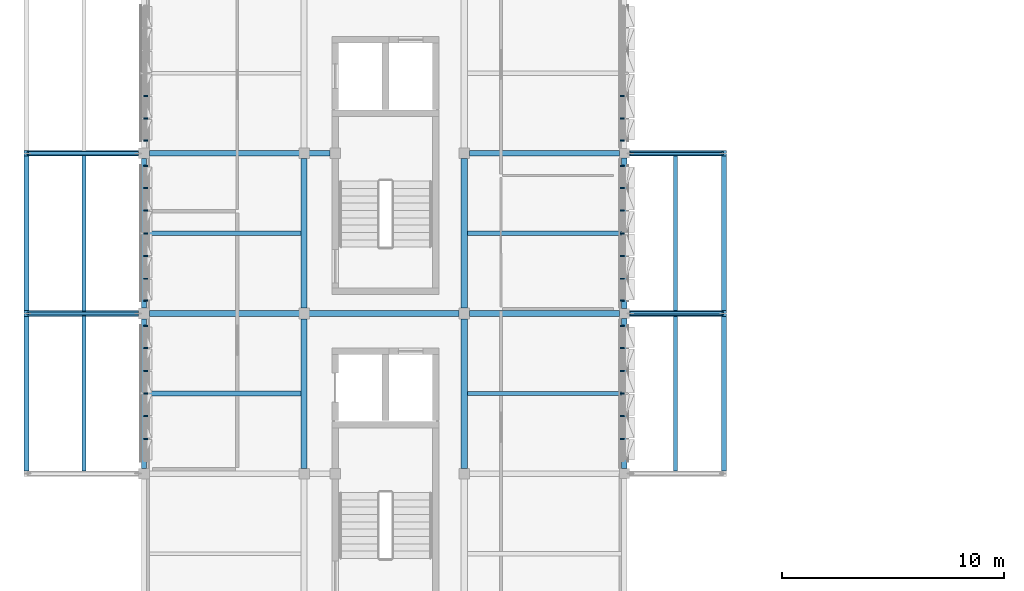
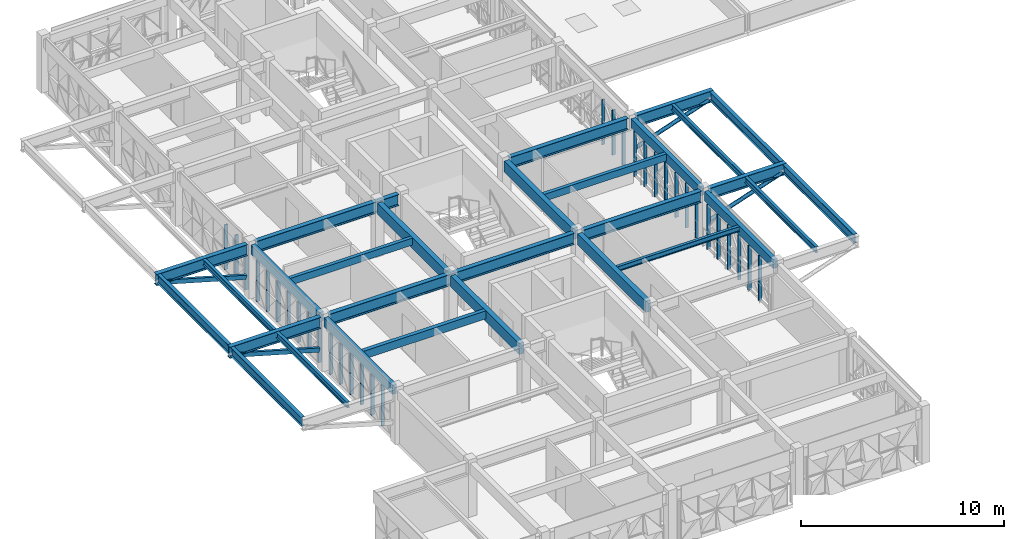
# One storey, part 4 of 30: 36 members, 28 beams, 6 elements without a shape of their own.
"""IFC4 building model written with IfcOpenShell, lengths in metres."""

from ifc_helpers import new_model, si_unit, direction, frame, origin, origin_2d, place, context, subcontext, project, spatial, rectangle, hollow_rectangle, hollow_circle, i_section, extrude, material, material_profile, profile_set, type_object, element, aggregate, save


model = new_model("IFC4")

# Units and contexts
model_context = context("Model", 3, precision=1e-05, world=origin(), true_north=direction((0.0, 1.0)))
body_context = subcontext(model_context, "Body", "Model", "MODEL_VIEW")
ifc_project = project(units=[si_unit("LENGTHUNIT", "METRE"), si_unit("AREAUNIT", "SQUARE_METRE"), si_unit("VOLUMEUNIT", "CUBIC_METRE"), si_unit("PLANEANGLEUNIT", "RADIAN"), si_unit("MASSUNIT", "GRAM", prefix="KILO")], contexts=[model_context])

# Site, building, storey
site_placement = place(None, origin())
site = spatial("IfcSite", under=ifc_project, at=site_placement, CompositionType="ELEMENT")
building_placement = place(site_placement, origin())
building = spatial("IfcBuilding", under=site, at=building_placement, Name="Alvorim Cloister Faculty of Sciences", CompositionType="ELEMENT")
storey_placement = place(building_placement, frame((0.0, 0.0, 26.25)))
storey = spatial("IfcBuildingStorey", under=building, at=storey_placement, Name="L07", CompositionType="ELEMENT", Elevation=26.25)

# Beams
ifc_material_1 = material(Name="Glulam GL28h", Category="wood")
ifc_material_profile_1 = material_profile(ifc_material_1, rectangle(XDim=0.280029296875, YDim=0.659912109375, at=origin_2d()), Name="GL28-BM-280x660")
ifc_profile_set_1 = profile_set([ifc_material_profile_1], Name="Glulam GL28h")
beam_type_1 = type_object("IfcBeamType", Name="BM-GL-280x660", PredefinedType="BEAM", material=ifc_profile_set_1)
for number, where, z_axis, x_axis, name in (
    (1, (14.39990234375, 21.840087890625, 2.909912109375), (0.0, 1.0, 0.0), (-1.0, 0.0, 0.0), "L07 Primary Girder BM-2135"),
    (2, (14.39990234375, 29.0400390625, 2.909912109375), (0.0, 1.0, 0.0), (-1.0, 0.0, 0.0), "L07 Primary Girder BM-2136"),
    (3, (21.60009765625, 21.840087890625, 2.909912109375), (0.0, 1.0, 0.0), (-1.0, 0.0, 0.0), "L07 Primary Girder BM-2142"),
    (4, (21.60009765625, 29.0400390625, 2.909912109375), (0.0, 1.0, 0.0), (-1.0, 0.0, 0.0), "L07 Primary Girder BM-2143"),
):
    element("IfcBeam", number, at=place(storey_placement, frame(where, z_axis=z_axis, x_axis=x_axis)), inside=storey, type_object=beam_type_1, Name=name, PredefinedType="BEAM", context=body_context, shape_type="SweptSolid", body=[
        extrude(rectangle(XDim=0.280029296875, YDim=0.659912109375, at=origin_2d()), origin(), (0.0, 0.0, 1.0), 6.719970703125),
    ])
ifc_material_profile_2 = material_profile(ifc_material_1, rectangle(XDim=0.199951171875, YDim=0.419921875, at=origin_2d()), Name="GL28-JST-200x420")
ifc_profile_set_2 = profile_set([ifc_material_profile_2], Name="Glulam GL28h")
beam_type_2 = type_object("IfcBeamType", Name="BM-JST-GL-200x420", PredefinedType="JOIST", material=ifc_profile_set_2)
for number, where, z_axis, x_axis, name in (
    (5, (7.320068359375, 32.39990234375, 3.030029296875), (1.0, 0.0, 0.0), (0.0, 1.0, 0.0), "L07 Secondary Floor Joist BM-2157"),
    (6, (21.739990234375, 32.39990234375, 3.030029296875), (1.0, 0.0, 0.0), (0.0, 1.0, 0.0), "L07 Secondary Floor Joist BM-2165"),
):
    element("IfcBeam", number, at=place(storey_placement, frame(where, z_axis=z_axis, x_axis=x_axis)), inside=storey, type_object=beam_type_2, Name=name, PredefinedType="JOIST", context=body_context, shape_type="SweptSolid", body=[
        extrude(rectangle(XDim=0.199951171875, YDim=0.419921875, at=origin_2d()), origin(), (0.0, 0.0, 1.0), 6.93994140625),
    ])
ifc_material_profile_3 = material_profile(ifc_material_1, rectangle(XDim=0.219970703125, YDim=0.47998046875, at=origin_2d()), Name="GL28-JST-220x480")
ifc_profile_set_3 = profile_set([ifc_material_profile_3], Name="Glulam GL28h")
beam_type_3 = type_object("IfcBeamType", Name="BM-JST-GL-220x480", PredefinedType="JOIST", material=ifc_profile_set_3)
beam_1_placement = place(storey_placement, frame((7.320068359375, 25.199951171875, 3.0), z_axis=(1.0, 0.0, 0.0), x_axis=(0.0, 1.0, 0.0)))
element("IfcBeam", 7, at=beam_1_placement, inside=storey, type_object=beam_type_3, Name="L07 Secondary Floor Joist BM-2156", PredefinedType="JOIST", context=body_context, shape_type="SweptSolid", body=[
    extrude(rectangle(XDim=0.219970703125, YDim=0.47998046875, at=origin_2d()), origin(), (0.0, 0.0, 1.0), 6.93994140625),
])
ifc_material_profile_4 = material_profile(ifc_material_1, rectangle(XDim=0.239990234375, YDim=0.5400390625, at=origin_2d()), Name="GL28-SPD-240x540")
ifc_profile_set_4 = profile_set([ifc_material_profile_4], Name="Glulam GL28h")
beam_type_4 = type_object("IfcBeamType", Name="BM-SPD-GL-240x540", PredefinedType="SPANDREL", material=ifc_profile_set_4)
for number, where, z_axis, x_axis, name in (
    (8, (7.199951171875, 21.840087890625, 2.969970703125), (0.0, 1.0, 0.0), (-1.0, 0.0, 0.0), "L07 Primary Girder BM-2128"),
    (9, (7.199951171875, 29.0400390625, 2.969970703125), (0.0, 1.0, 0.0), (-1.0, 0.0, 0.0), "L07 Primary Girder BM-2129"),
):
    element("IfcBeam", number, at=place(storey_placement, frame(where, z_axis=z_axis, x_axis=x_axis)), inside=storey, type_object=beam_type_4, Name=name, PredefinedType="SPANDREL", context=body_context, shape_type="SweptSolid", body=[
        extrude(rectangle(XDim=0.239990234375, YDim=0.5400390625, at=origin_2d()), origin(), (0.0, 0.0, 1.0), 6.719970703125),
    ])
for number, where, z_axis, x_axis, name in (
    (10, (28.800048828125, 21.820068359375, 2.969970703125), (0.0, 1.0, 0.0), (-1.0, 0.0, 0.0), "L07 Primary Girder BM-2149"),
    (11, (28.800048828125, 29.02001953125, 2.969970703125), (0.0, 1.0, 0.0), (-1.0, 0.0, 0.0), "L07 Primary Girder BM-2150"),
):
    element("IfcBeam", number, at=place(storey_placement, frame(where, z_axis=z_axis, x_axis=x_axis)), inside=storey, type_object=beam_type_4, Name=name, PredefinedType="SPANDREL", context=body_context, shape_type="SweptSolid", body=[
        extrude(rectangle(XDim=0.239990234375, YDim=0.5400390625, at=origin_2d()), origin(), (0.0, 0.0, 1.0), 6.760009765625),
    ])
ifc_material_2 = material(Name="Steel ASTM A572 Grade 50", Category="steel")
ifc_material_profile_5 = material_profile(ifc_material_2, i_section(OverallWidth=0.1650390625, OverallDepth=0.31005859375, WebThickness=0.005859375, FlangeThickness=0.009765625, FilletRadius=0.010986328125, at=origin_2d()), Name="W310x38.7")
ifc_profile_set_5 = profile_set([ifc_material_profile_5], Name="Steel ASTM A572 Grade 50")
beam_type_5 = type_object("IfcBeamType", Name="BM-STL-W310", PredefinedType="JOIST", material=ifc_profile_set_5)
beam_2_placement = place(storey_placement, frame((21.739990234375, 25.199951171875, 3.0849609375), z_axis=(1.0, 0.0, 0.0), x_axis=(0.0, 1.0, 0.0)))
element("IfcBeam", 12, at=beam_2_placement, inside=storey, type_object=beam_type_5, Name="L07 Secondary Floor Joist BM-2164", PredefinedType="JOIST", context=body_context, shape_type="SweptSolid", body=[
    extrude(i_section(OverallWidth=0.1650390625, OverallDepth=0.31005859375, WebThickness=0.005859375, FlangeThickness=0.009765625, FilletRadius=0.010986328125, at=origin_2d()), origin(), (0.0, 0.0, 1.0), 6.93994140625),
])
ifc_material_profile_6 = material_profile(ifc_material_2, i_section(OverallWidth=0.1708984375, OverallDepth=0.35498046875, WebThickness=0.007080078125, FlangeThickness=0.01171875, FilletRadius=0.012939453125, at=origin_2d()), Name="W360x51.0")
ifc_profile_set_6 = profile_set([ifc_material_profile_6], Name="Steel ASTM A572 Grade 50")
beam_type_6 = type_object("IfcBeamType", Name="BM-STL-W360", PredefinedType="JOIST", material=ifc_profile_set_6)
for number, where, z_axis, x_axis, name in (
    (13, (4.5, 21.7099609375, 3.0625), (0.0, 1.0, 0.0), (-1.0, 0.0, 0.0), "L07 Cantilever Deck Joist BM-0180"),
    (14, (4.5, 28.909912109375, 3.0625), (0.0, 1.0, 0.0), (-1.0, 0.0, 0.0), "L07 Cantilever Deck Joist BM-0182"),
    (15, (31.10009765625, 21.7099609375, 3.0625), (0.0, 1.0, 0.0), (-1.0, 0.0, 0.0), "L07 Cantilever Deck Joist BM-0212"),
    (16, (31.10009765625, 28.909912109375, 3.0625), (0.0, 1.0, 0.0), (-1.0, 0.0, 0.0), "L07 Cantilever Deck Joist BM-0214"),
):
    element("IfcBeam", number, at=place(storey_placement, frame(where, z_axis=z_axis, x_axis=x_axis)), inside=storey, type_object=beam_type_6, Name=name, PredefinedType="JOIST", context=body_context, shape_type="SweptSolid", body=[
        extrude(i_section(OverallWidth=0.1708984375, OverallDepth=0.35498046875, WebThickness=0.007080078125, FlangeThickness=0.01171875, FilletRadius=0.012939453125, at=origin_2d()), origin(), (0.0, 0.0, 1.0), 6.97998046875),
    ])
ifc_material_profile_7 = material_profile(ifc_material_2, i_section(OverallWidth=0.208984375, OverallDepth=0.532958984375, WebThickness=0.01025390625, FlangeThickness=0.015625, FilletRadius=0.01611328125, at=origin_2d()), Name="W530x92.0")
ifc_profile_set_7 = profile_set([ifc_material_profile_7], Name="Steel ASTM A572 Grade 50")
beam_type_7 = type_object("IfcBeamType", Name="BM-STL-W530", PredefinedType="BEAM", material=ifc_profile_set_7)
for number, where, z_axis, x_axis, name in (
    (17, (1.919921875, 21.7099609375, 2.973388671875), (0.0, 1.0, 0.0), (-1.0, 0.0, 0.0), "L07 Cantilever Tip Header Girder BM-0179"),
    (18, (1.919921875, 28.909912109375, 2.973388671875), (0.0, 1.0, 0.0), (-1.0, 0.0, 0.0), "L07 Cantilever Tip Header Girder BM-0181"),
    (19, (33.280029296875, 21.7099609375, 2.973388671875), (0.0, 1.0, 0.0), (-1.0, 0.0, 0.0), "L07 Cantilever Tip Header Girder BM-0211"),
    (20, (33.280029296875, 28.909912109375, 2.973388671875), (0.0, 1.0, 0.0), (-1.0, 0.0, 0.0), "L07 Cantilever Tip Header Girder BM-0213"),
):
    element("IfcBeam", number, at=place(storey_placement, frame(where, z_axis=z_axis, x_axis=x_axis)), inside=storey, type_object=beam_type_7, Name=name, PredefinedType="BEAM", context=body_context, shape_type="SweptSolid", body=[
        extrude(i_section(OverallWidth=0.208984375, OverallDepth=0.532958984375, WebThickness=0.01025390625, FlangeThickness=0.015625, FilletRadius=0.01611328125, at=origin_2d()), origin(), (0.0, 0.0, 1.0), 6.97998046875),
    ])
ifc_material_profile_8 = material_profile(ifc_material_2, i_section(OverallWidth=0.25390625, OverallDepth=0.68408203125, WebThickness=0.012451171875, FlangeThickness=0.01904296875, FilletRadius=0.01904296875, at=origin_2d()), Name="W690x140.0")
ifc_profile_set_8 = profile_set([ifc_material_profile_8], Name="Steel ASTM A572 Grade 50")
beam_type_8 = type_object("IfcBeamType", Name="BM-STL-W690", PredefinedType="BEAM", material=ifc_profile_set_8)
beam_3_placement = place(storey_placement, frame((7.43994140625, 28.800048828125, 2.89794921875), z_axis=(1.0, 0.0, 0.0), x_axis=(0.0, 1.0, 0.0)))
element("IfcBeam", 21, at=beam_3_placement, inside=storey, type_object=beam_type_8, Name="L07 Cantilever Backspan Girder BM-0171", PredefinedType="BEAM", context=body_context, shape_type="SweptSolid", body=[
    extrude(i_section(OverallWidth=0.25390625, OverallDepth=0.68408203125, WebThickness=0.012451171875, FlangeThickness=0.01904296875, FilletRadius=0.01904296875, at=origin_2d()), origin(), (0.0, 0.0, 1.0), 13.920166015625),
])
beam_4_placement = place(storey_placement, frame((1.800048828125, 28.800048828125, 2.89794921875), z_axis=(1.0, 0.0, 0.0), x_axis=(0.0, 1.0, 0.0)))
element("IfcBeam", 22, at=beam_4_placement, inside=storey, type_object=beam_type_8, Name="L07 Cantilever Overhang Girder BM-0172", PredefinedType="BEAM", context=body_context, shape_type="SweptSolid", body=[
    extrude(i_section(OverallWidth=0.25390625, OverallDepth=0.68408203125, WebThickness=0.012451171875, FlangeThickness=0.01904296875, FilletRadius=0.01904296875, at=origin_2d()), origin(), (0.0, 0.0, 1.0), 5.159912109375),
])
beam_5_placement = place(storey_placement, frame((7.43994140625, 36.0, 2.89794921875), z_axis=(1.0, 0.0, 0.0), x_axis=(0.0, 1.0, 0.0)))
element("IfcBeam", 23, at=beam_5_placement, inside=storey, type_object=beam_type_8, Name="L07 Cantilever Backspan Girder BM-0173", PredefinedType="BEAM", context=body_context, shape_type="SweptSolid", body=[
    extrude(i_section(OverallWidth=0.25390625, OverallDepth=0.68408203125, WebThickness=0.012451171875, FlangeThickness=0.01904296875, FilletRadius=0.01904296875, at=origin_2d()), origin(), (0.0, 0.0, 1.0), 8.1201171875),
])
beam_6_placement = place(storey_placement, frame((1.800048828125, 36.0, 2.89794921875), z_axis=(1.0, 0.0, 0.0), x_axis=(0.0, 1.0, 0.0)))
element("IfcBeam", 24, at=beam_6_placement, inside=storey, type_object=beam_type_8, Name="L07 Cantilever Overhang Girder BM-0174", PredefinedType="BEAM", context=body_context, shape_type="SweptSolid", body=[
    extrude(i_section(OverallWidth=0.25390625, OverallDepth=0.68408203125, WebThickness=0.012451171875, FlangeThickness=0.01904296875, FilletRadius=0.01904296875, at=origin_2d()), origin(), (0.0, 0.0, 1.0), 5.159912109375),
])
beam_7_placement = place(storey_placement, frame((21.840087890625, 28.800048828125, 2.89794921875), z_axis=(1.0, 0.0, 0.0), x_axis=(0.0, 1.0, 0.0)))
element("IfcBeam", 25, at=beam_7_placement, inside=storey, type_object=beam_type_8, Name="L07 Cantilever Backspan Girder BM-0207", PredefinedType="BEAM", context=body_context, shape_type="SweptSolid", body=[
    extrude(i_section(OverallWidth=0.25390625, OverallDepth=0.68408203125, WebThickness=0.012451171875, FlangeThickness=0.01904296875, FilletRadius=0.01904296875, at=origin_2d()), origin(), (0.0, 0.0, 1.0), 6.739990234375),
])
beam_8_placement = place(storey_placement, frame((29.02001953125, 28.800048828125, 2.89794921875), z_axis=(1.0, 0.0, 0.0), x_axis=(0.0, 1.0, 0.0)))
element("IfcBeam", 26, at=beam_8_placement, inside=storey, type_object=beam_type_8, Name="L07 Cantilever Overhang Girder BM-0208", PredefinedType="BEAM", context=body_context, shape_type="SweptSolid", body=[
    extrude(i_section(OverallWidth=0.25390625, OverallDepth=0.68408203125, WebThickness=0.012451171875, FlangeThickness=0.01904296875, FilletRadius=0.01904296875, at=origin_2d()), origin(), (0.0, 0.0, 1.0), 4.3798828125),
])
beam_9_placement = place(storey_placement, frame((21.840087890625, 36.0, 2.89794921875), z_axis=(1.0, 0.0, 0.0), x_axis=(0.0, 1.0, 0.0)))
element("IfcBeam", 27, at=beam_9_placement, inside=storey, type_object=beam_type_8, Name="L07 Cantilever Backspan Girder BM-0209", PredefinedType="BEAM", context=body_context, shape_type="SweptSolid", body=[
    extrude(i_section(OverallWidth=0.25390625, OverallDepth=0.68408203125, WebThickness=0.012451171875, FlangeThickness=0.01904296875, FilletRadius=0.01904296875, at=origin_2d()), origin(), (0.0, 0.0, 1.0), 6.739990234375),
])
beam_10_placement = place(storey_placement, frame((29.02001953125, 36.0, 2.89794921875), z_axis=(1.0, 0.0, 0.0), x_axis=(0.0, 1.0, 0.0)))
element("IfcBeam", 28, at=beam_10_placement, inside=storey, type_object=beam_type_8, Name="L07 Cantilever Overhang Girder BM-0210", PredefinedType="BEAM", context=body_context, shape_type="SweptSolid", body=[
    extrude(i_section(OverallWidth=0.25390625, OverallDepth=0.68408203125, WebThickness=0.012451171875, FlangeThickness=0.01904296875, FilletRadius=0.01904296875, at=origin_2d()), origin(), (0.0, 0.0, 1.0), 4.3798828125),
])

# Curtain wall, members
ifc_material_3 = material(Name="Aluminium and Low-E Glass Curtain Wall", Category="aluminium")
curtain_wall_type = type_object("IfcCurtainWallType", Name="CW-TRI-6120x2700", PredefinedType="USERDEFINED", material=ifc_material_3)
curtain_wall_1_placement = place(storey_placement, origin())
curtain_wall_1 = element("IfcCurtainWall", 29, at=curtain_wall_1_placement, inside=storey, type_object=curtain_wall_type, Name="L07 Diagonal Cassette Curtain Wall CW-0267", ObjectType="UNITISED CURTAIN WALL", PredefinedType="USERDEFINED")
ifc_material_4 = material(Name="Aluminium Alloy 6063-T6", Category="aluminium")
ifc_material_profile_9 = material_profile(ifc_material_4, rectangle(XDim=0.06494140625, YDim=0.179931640625, at=origin_2d()), Name="ALU-MUL-65x180")
ifc_profile_set_9 = profile_set([ifc_material_profile_9], Name="Aluminium Alloy 6063-T6")
member_type_1 = type_object("IfcMemberType", Name="CW-MUL-65x180", PredefinedType="MULLION", material=ifc_profile_set_9)
member_1_placement = place(storey_placement, frame((7.2900390625, 23.159912109375, 0.0), z_axis=(0.0, 0.0, 1.0), x_axis=(0.0, 1.0, 0.0)))
member_1 = element("IfcMember", 30, at=member_1_placement, type_object=member_type_1, Name="CW-0267 Mullion 2", PredefinedType="MULLION", context=body_context, shape_type="SweptSolid", body=[
    extrude(rectangle(XDim=0.06494140625, YDim=0.179931640625, at=origin_2d()), origin(), (0.0, 0.0, 1.0), 2.699951171875),
])
member_2_placement = place(storey_placement, frame((7.2900390625, 24.179931640625, 0.0), z_axis=(0.0, 0.0, 1.0), x_axis=(0.0, 1.0, 0.0)))
member_2 = element("IfcMember", 31, at=member_2_placement, type_object=member_type_1, Name="CW-0267 Mullion 3", PredefinedType="MULLION", context=body_context, shape_type="SweptSolid", body=[
    extrude(rectangle(XDim=0.06494140625, YDim=0.179931640625, at=origin_2d()), origin(), (0.0, 0.0, 1.0), 2.699951171875),
])
member_3_placement = place(storey_placement, frame((7.2900390625, 25.199951171875, 0.0), z_axis=(0.0, 0.0, 1.0), x_axis=(0.0, 1.0, 0.0)))
member_3 = element("IfcMember", 32, at=member_3_placement, type_object=member_type_1, Name="CW-0267 Mullion 4", PredefinedType="MULLION", context=body_context, shape_type="SweptSolid", body=[
    extrude(rectangle(XDim=0.06494140625, YDim=0.179931640625, at=origin_2d()), origin(), (0.0, 0.0, 1.0), 2.699951171875),
])
member_4_placement = place(storey_placement, frame((7.2900390625, 26.219970703125, 0.0), z_axis=(0.0, 0.0, 1.0), x_axis=(0.0, 1.0, 0.0)))
member_4 = element("IfcMember", 33, at=member_4_placement, type_object=member_type_1, Name="CW-0267 Mullion 5", PredefinedType="MULLION", context=body_context, shape_type="SweptSolid", body=[
    extrude(rectangle(XDim=0.06494140625, YDim=0.179931640625, at=origin_2d()), origin(), (0.0, 0.0, 1.0), 2.699951171875),
])
member_5_placement = place(storey_placement, frame((7.2900390625, 27.239990234375, 0.0), z_axis=(0.0, 0.0, 1.0), x_axis=(0.0, 1.0, 0.0)))
member_5 = element("IfcMember", 34, at=member_5_placement, type_object=member_type_1, Name="CW-0267 Mullion 6", PredefinedType="MULLION", context=body_context, shape_type="SweptSolid", body=[
    extrude(rectangle(XDim=0.06494140625, YDim=0.179931640625, at=origin_2d()), origin(), (0.0, 0.0, 1.0), 2.699951171875),
])
member_6_placement = place(storey_placement, frame((7.2900390625, 28.2275390625, 0.0), z_axis=(0.0, 0.0, 1.0), x_axis=(0.0, 1.0, 0.0)))
member_6 = element("IfcMember", 35, at=member_6_placement, type_object=member_type_1, Name="CW-0267 Mullion 7", PredefinedType="MULLION", context=body_context, shape_type="SweptSolid", body=[
    extrude(rectangle(XDim=0.06494140625, YDim=0.179931640625, at=origin_2d()), origin(), (0.0, 0.0, 1.0), 2.699951171875),
])
aggregate(curtain_wall_1, [member_1, member_2, member_3, member_4, member_5, member_6])

curtain_wall_2_placement = place(storey_placement, origin())
curtain_wall_2 = element("IfcCurtainWall", 36, at=curtain_wall_2_placement, inside=storey, type_object=curtain_wall_type, Name="L07 Diagonal Cassette Curtain Wall CW-0268", ObjectType="UNITISED CURTAIN WALL", PredefinedType="USERDEFINED")
member_7_placement = place(storey_placement, frame((7.2900390625, 29.37255859375, 0.0), z_axis=(0.0, 0.0, 1.0), x_axis=(0.0, 1.0, 0.0)))
member_7 = element("IfcMember", 37, at=member_7_placement, type_object=member_type_1, Name="CW-0268 Mullion 1", PredefinedType="MULLION", context=body_context, shape_type="SweptSolid", body=[
    extrude(rectangle(XDim=0.06494140625, YDim=0.179931640625, at=origin_2d()), origin(), (0.0, 0.0, 1.0), 2.699951171875),
])
member_8_placement = place(storey_placement, frame((7.2900390625, 30.360107421875, 0.0), z_axis=(0.0, 0.0, 1.0), x_axis=(0.0, 1.0, 0.0)))
member_8 = element("IfcMember", 38, at=member_8_placement, type_object=member_type_1, Name="CW-0268 Mullion 2", PredefinedType="MULLION", context=body_context, shape_type="SweptSolid", body=[
    extrude(rectangle(XDim=0.06494140625, YDim=0.179931640625, at=origin_2d()), origin(), (0.0, 0.0, 1.0), 2.699951171875),
])
member_9_placement = place(storey_placement, frame((7.2900390625, 31.3798828125, 0.0), z_axis=(0.0, 0.0, 1.0), x_axis=(0.0, 1.0, 0.0)))
member_9 = element("IfcMember", 39, at=member_9_placement, type_object=member_type_1, Name="CW-0268 Mullion 3", PredefinedType="MULLION", context=body_context, shape_type="SweptSolid", body=[
    extrude(rectangle(XDim=0.06494140625, YDim=0.179931640625, at=origin_2d()), origin(), (0.0, 0.0, 1.0), 2.699951171875),
])
member_10_placement = place(storey_placement, frame((7.2900390625, 32.39990234375, 0.0), z_axis=(0.0, 0.0, 1.0), x_axis=(0.0, 1.0, 0.0)))
member_10 = element("IfcMember", 40, at=member_10_placement, type_object=member_type_1, Name="CW-0268 Mullion 4", PredefinedType="MULLION", context=body_context, shape_type="SweptSolid", body=[
    extrude(rectangle(XDim=0.06494140625, YDim=0.179931640625, at=origin_2d()), origin(), (0.0, 0.0, 1.0), 2.699951171875),
])
member_11_placement = place(storey_placement, frame((7.2900390625, 33.419921875, 0.0), z_axis=(0.0, 0.0, 1.0), x_axis=(0.0, 1.0, 0.0)))
member_11 = element("IfcMember", 41, at=member_11_placement, type_object=member_type_1, Name="CW-0268 Mullion 5", PredefinedType="MULLION", context=body_context, shape_type="SweptSolid", body=[
    extrude(rectangle(XDim=0.06494140625, YDim=0.179931640625, at=origin_2d()), origin(), (0.0, 0.0, 1.0), 2.699951171875),
])
member_12_placement = place(storey_placement, frame((7.2900390625, 34.43994140625, 0.0), z_axis=(0.0, 0.0, 1.0), x_axis=(0.0, 1.0, 0.0)))
member_12 = element("IfcMember", 42, at=member_12_placement, type_object=member_type_1, Name="CW-0268 Mullion 6", PredefinedType="MULLION", context=body_context, shape_type="SweptSolid", body=[
    extrude(rectangle(XDim=0.06494140625, YDim=0.179931640625, at=origin_2d()), origin(), (0.0, 0.0, 1.0), 2.699951171875),
])
member_13_placement = place(storey_placement, frame((7.2900390625, 35.427490234375, 0.0), z_axis=(0.0, 0.0, 1.0), x_axis=(0.0, 1.0, 0.0)))
member_13 = element("IfcMember", 43, at=member_13_placement, type_object=member_type_1, Name="CW-0268 Mullion 7", PredefinedType="MULLION", context=body_context, shape_type="SweptSolid", body=[
    extrude(rectangle(XDim=0.06494140625, YDim=0.179931640625, at=origin_2d()), origin(), (0.0, 0.0, 1.0), 2.699951171875),
])
aggregate(curtain_wall_2, [member_7, member_8, member_9, member_10, member_11, member_12, member_13])

curtain_wall_3_placement = place(storey_placement, origin())
curtain_wall_3 = element("IfcCurtainWall", 44, at=curtain_wall_3_placement, inside=storey, type_object=curtain_wall_type, Name="L07 Diagonal Cassette Curtain Wall CW-0269", ObjectType="UNITISED CURTAIN WALL", PredefinedType="USERDEFINED")
member_14_placement = place(storey_placement, frame((7.2900390625, 36.572509765625, 0.0), z_axis=(0.0, 0.0, 1.0), x_axis=(0.0, 1.0, 0.0)))
member_14 = element("IfcMember", 45, at=member_14_placement, type_object=member_type_1, Name="CW-0269 Mullion 1", PredefinedType="MULLION", context=body_context, shape_type="SweptSolid", body=[
    extrude(rectangle(XDim=0.06494140625, YDim=0.179931640625, at=origin_2d()), origin(), (0.0, 0.0, 1.0), 2.699951171875),
])
member_15_placement = place(storey_placement, frame((7.2900390625, 37.56005859375, 0.0), z_axis=(0.0, 0.0, 1.0), x_axis=(0.0, 1.0, 0.0)))
member_15 = element("IfcMember", 46, at=member_15_placement, type_object=member_type_1, Name="CW-0269 Mullion 2", PredefinedType="MULLION", context=body_context, shape_type="SweptSolid", body=[
    extrude(rectangle(XDim=0.06494140625, YDim=0.179931640625, at=origin_2d()), origin(), (0.0, 0.0, 1.0), 2.699951171875),
])
member_16_placement = place(storey_placement, frame((7.2900390625, 38.580078125, 0.0), z_axis=(0.0, 0.0, 1.0), x_axis=(0.0, 1.0, 0.0)))
member_16 = element("IfcMember", 47, at=member_16_placement, type_object=member_type_1, Name="CW-0269 Mullion 3", PredefinedType="MULLION", context=body_context, shape_type="SweptSolid", body=[
    extrude(rectangle(XDim=0.06494140625, YDim=0.179931640625, at=origin_2d()), origin(), (0.0, 0.0, 1.0), 2.699951171875),
])
aggregate(curtain_wall_3, [member_14, member_15, member_16])

curtain_wall_4_placement = place(storey_placement, origin())
curtain_wall_4 = element("IfcCurtainWall", 48, at=curtain_wall_4_placement, inside=storey, type_object=curtain_wall_type, Name="L07 Diagonal Cassette Curtain Wall CW-0277", ObjectType="UNITISED CURTAIN WALL", PredefinedType="USERDEFINED")
member_17_placement = place(storey_placement, frame((28.7099609375, 36.572509765625, 0.0), z_axis=(0.0, 0.0, 1.0), x_axis=(0.0, 1.0, 0.0)))
member_17 = element("IfcMember", 49, at=member_17_placement, type_object=member_type_1, Name="CW-0277 Mullion 1", PredefinedType="MULLION", context=body_context, shape_type="SweptSolid", body=[
    extrude(rectangle(XDim=0.06494140625, YDim=0.179931640625, at=origin_2d()), origin(), (0.0, 0.0, 1.0), 2.699951171875),
])
member_18_placement = place(storey_placement, frame((28.7099609375, 37.56005859375, 0.0), z_axis=(0.0, 0.0, 1.0), x_axis=(0.0, 1.0, 0.0)))
member_18 = element("IfcMember", 50, at=member_18_placement, type_object=member_type_1, Name="CW-0277 Mullion 2", PredefinedType="MULLION", context=body_context, shape_type="SweptSolid", body=[
    extrude(rectangle(XDim=0.06494140625, YDim=0.179931640625, at=origin_2d()), origin(), (0.0, 0.0, 1.0), 2.699951171875),
])
member_19_placement = place(storey_placement, frame((28.7099609375, 38.580078125, 0.0), z_axis=(0.0, 0.0, 1.0), x_axis=(0.0, 1.0, 0.0)))
member_19 = element("IfcMember", 51, at=member_19_placement, type_object=member_type_1, Name="CW-0277 Mullion 3", PredefinedType="MULLION", context=body_context, shape_type="SweptSolid", body=[
    extrude(rectangle(XDim=0.06494140625, YDim=0.179931640625, at=origin_2d()), origin(), (0.0, 0.0, 1.0), 2.699951171875),
])
aggregate(curtain_wall_4, [member_17, member_18, member_19])

curtain_wall_5_placement = place(storey_placement, origin())
curtain_wall_5 = element("IfcCurtainWall", 52, at=curtain_wall_5_placement, inside=storey, type_object=curtain_wall_type, Name="L07 Diagonal Cassette Curtain Wall CW-0278", ObjectType="UNITISED CURTAIN WALL", PredefinedType="USERDEFINED")
member_20_placement = place(storey_placement, frame((28.7099609375, 29.37255859375, 0.0), z_axis=(0.0, 0.0, 1.0), x_axis=(0.0, 1.0, 0.0)))
member_20 = element("IfcMember", 53, at=member_20_placement, type_object=member_type_1, Name="CW-0278 Mullion 1", PredefinedType="MULLION", context=body_context, shape_type="SweptSolid", body=[
    extrude(rectangle(XDim=0.06494140625, YDim=0.179931640625, at=origin_2d()), origin(), (0.0, 0.0, 1.0), 2.699951171875),
])
member_21_placement = place(storey_placement, frame((28.7099609375, 30.360107421875, 0.0), z_axis=(0.0, 0.0, 1.0), x_axis=(0.0, 1.0, 0.0)))
member_21 = element("IfcMember", 54, at=member_21_placement, type_object=member_type_1, Name="CW-0278 Mullion 2", PredefinedType="MULLION", context=body_context, shape_type="SweptSolid", body=[
    extrude(rectangle(XDim=0.06494140625, YDim=0.179931640625, at=origin_2d()), origin(), (0.0, 0.0, 1.0), 2.699951171875),
])
member_22_placement = place(storey_placement, frame((28.7099609375, 31.3798828125, 0.0), z_axis=(0.0, 0.0, 1.0), x_axis=(0.0, 1.0, 0.0)))
member_22 = element("IfcMember", 55, at=member_22_placement, type_object=member_type_1, Name="CW-0278 Mullion 3", PredefinedType="MULLION", context=body_context, shape_type="SweptSolid", body=[
    extrude(rectangle(XDim=0.06494140625, YDim=0.179931640625, at=origin_2d()), origin(), (0.0, 0.0, 1.0), 2.699951171875),
])
member_23_placement = place(storey_placement, frame((28.7099609375, 32.39990234375, 0.0), z_axis=(0.0, 0.0, 1.0), x_axis=(0.0, 1.0, 0.0)))
member_23 = element("IfcMember", 56, at=member_23_placement, type_object=member_type_1, Name="CW-0278 Mullion 4", PredefinedType="MULLION", context=body_context, shape_type="SweptSolid", body=[
    extrude(rectangle(XDim=0.06494140625, YDim=0.179931640625, at=origin_2d()), origin(), (0.0, 0.0, 1.0), 2.699951171875),
])
member_24_placement = place(storey_placement, frame((28.7099609375, 33.419921875, 0.0), z_axis=(0.0, 0.0, 1.0), x_axis=(0.0, 1.0, 0.0)))
member_24 = element("IfcMember", 57, at=member_24_placement, type_object=member_type_1, Name="CW-0278 Mullion 5", PredefinedType="MULLION", context=body_context, shape_type="SweptSolid", body=[
    extrude(rectangle(XDim=0.06494140625, YDim=0.179931640625, at=origin_2d()), origin(), (0.0, 0.0, 1.0), 2.699951171875),
])
member_25_placement = place(storey_placement, frame((28.7099609375, 34.43994140625, 0.0), z_axis=(0.0, 0.0, 1.0), x_axis=(0.0, 1.0, 0.0)))
member_25 = element("IfcMember", 58, at=member_25_placement, type_object=member_type_1, Name="CW-0278 Mullion 6", PredefinedType="MULLION", context=body_context, shape_type="SweptSolid", body=[
    extrude(rectangle(XDim=0.06494140625, YDim=0.179931640625, at=origin_2d()), origin(), (0.0, 0.0, 1.0), 2.699951171875),
])
member_26_placement = place(storey_placement, frame((28.7099609375, 35.427490234375, 0.0), z_axis=(0.0, 0.0, 1.0), x_axis=(0.0, 1.0, 0.0)))
member_26 = element("IfcMember", 59, at=member_26_placement, type_object=member_type_1, Name="CW-0278 Mullion 7", PredefinedType="MULLION", context=body_context, shape_type="SweptSolid", body=[
    extrude(rectangle(XDim=0.06494140625, YDim=0.179931640625, at=origin_2d()), origin(), (0.0, 0.0, 1.0), 2.699951171875),
])
aggregate(curtain_wall_5, [member_20, member_21, member_22, member_23, member_24, member_25, member_26])

curtain_wall_6_placement = place(storey_placement, origin())
curtain_wall_6 = element("IfcCurtainWall", 60, at=curtain_wall_6_placement, inside=storey, type_object=curtain_wall_type, Name="L07 Diagonal Cassette Curtain Wall CW-0279", ObjectType="UNITISED CURTAIN WALL", PredefinedType="USERDEFINED")
member_27_placement = place(storey_placement, frame((28.7099609375, 23.159912109375, 0.0), z_axis=(0.0, 0.0, 1.0), x_axis=(0.0, 1.0, 0.0)))
member_27 = element("IfcMember", 61, at=member_27_placement, type_object=member_type_1, Name="CW-0279 Mullion 2", PredefinedType="MULLION", context=body_context, shape_type="SweptSolid", body=[
    extrude(rectangle(XDim=0.06494140625, YDim=0.179931640625, at=origin_2d()), origin(), (0.0, 0.0, 1.0), 2.699951171875),
])
member_28_placement = place(storey_placement, frame((28.7099609375, 24.179931640625, 0.0), z_axis=(0.0, 0.0, 1.0), x_axis=(0.0, 1.0, 0.0)))
member_28 = element("IfcMember", 62, at=member_28_placement, type_object=member_type_1, Name="CW-0279 Mullion 3", PredefinedType="MULLION", context=body_context, shape_type="SweptSolid", body=[
    extrude(rectangle(XDim=0.06494140625, YDim=0.179931640625, at=origin_2d()), origin(), (0.0, 0.0, 1.0), 2.699951171875),
])
member_29_placement = place(storey_placement, frame((28.7099609375, 25.199951171875, 0.0), z_axis=(0.0, 0.0, 1.0), x_axis=(0.0, 1.0, 0.0)))
member_29 = element("IfcMember", 63, at=member_29_placement, type_object=member_type_1, Name="CW-0279 Mullion 4", PredefinedType="MULLION", context=body_context, shape_type="SweptSolid", body=[
    extrude(rectangle(XDim=0.06494140625, YDim=0.179931640625, at=origin_2d()), origin(), (0.0, 0.0, 1.0), 2.699951171875),
])
member_30_placement = place(storey_placement, frame((28.7099609375, 26.219970703125, 0.0), z_axis=(0.0, 0.0, 1.0), x_axis=(0.0, 1.0, 0.0)))
member_30 = element("IfcMember", 64, at=member_30_placement, type_object=member_type_1, Name="CW-0279 Mullion 5", PredefinedType="MULLION", context=body_context, shape_type="SweptSolid", body=[
    extrude(rectangle(XDim=0.06494140625, YDim=0.179931640625, at=origin_2d()), origin(), (0.0, 0.0, 1.0), 2.699951171875),
])
member_31_placement = place(storey_placement, frame((28.7099609375, 27.239990234375, 0.0), z_axis=(0.0, 0.0, 1.0), x_axis=(0.0, 1.0, 0.0)))
member_31 = element("IfcMember", 65, at=member_31_placement, type_object=member_type_1, Name="CW-0279 Mullion 6", PredefinedType="MULLION", context=body_context, shape_type="SweptSolid", body=[
    extrude(rectangle(XDim=0.06494140625, YDim=0.179931640625, at=origin_2d()), origin(), (0.0, 0.0, 1.0), 2.699951171875),
])
member_32_placement = place(storey_placement, frame((28.7099609375, 28.2275390625, 0.0), z_axis=(0.0, 0.0, 1.0), x_axis=(0.0, 1.0, 0.0)))
member_32 = element("IfcMember", 66, at=member_32_placement, type_object=member_type_1, Name="CW-0279 Mullion 7", PredefinedType="MULLION", context=body_context, shape_type="SweptSolid", body=[
    extrude(rectangle(XDim=0.06494140625, YDim=0.179931640625, at=origin_2d()), origin(), (0.0, 0.0, 1.0), 2.699951171875),
])
aggregate(curtain_wall_6, [member_27, member_28, member_29, member_30, member_31, member_32])

# Members
ifc_material_profile_10 = material_profile(ifc_material_2, hollow_circle(Radius=0.109619140625, WallThickness=0.010009765625, at=origin_2d()), Name="CHS219.1x10")
ifc_profile_set_10 = profile_set([ifc_material_profile_10], Name="Steel ASTM A572 Grade 50")
member_type_2 = type_object("IfcMemberType", Name="MB-BRC-CHS219", PredefinedType="BRACE", material=ifc_profile_set_10)
for number, where, z_axis, x_axis, name in (
    (67, (29.080078125, 28.800048828125, 1.25), (0.9466089532, 0.0, 0.322384071754), (0.0, 1.0, 0.0), "L07 Cantilever Raker Strut MB-0023"),
    (68, (29.080078125, 36.0, 1.25), (0.9466089532, 0.0, 0.322384071754), (0.0, 1.0, 0.0), "L07 Cantilever Raker Strut MB-0024"),
):
    element("IfcMember", number, at=place(storey_placement, frame(where, z_axis=z_axis, x_axis=x_axis)), inside=storey, type_object=member_type_2, Name=name, PredefinedType="BRACE", context=body_context, shape_type="SweptSolid", body=[
        extrude(hollow_circle(Radius=0.109619140625, WallThickness=0.010009765625, at=origin_2d()), origin(), (0.0, 0.0, 1.0), 4.373291015625),
    ])
ifc_material_profile_11 = material_profile(ifc_material_2, hollow_rectangle(XDim=0.14990234375, YDim=0.25, WallThickness=0.010009765625, at=origin_2d()), Name="RHS250x150x10")
ifc_profile_set_11 = profile_set([ifc_material_profile_11], Name="Steel ASTM A572 Grade 50")
member_type_3 = type_object("IfcMemberType", Name="MB-BRC-RHS250", PredefinedType="BRACE", material=ifc_profile_set_11)
for number, where, z_axis, x_axis, name in (
    (69, (6.919921875, 28.800048828125, 1.25), (-0.961601024208, 0.0, 0.274451216507), (0.0, -1.0, 0.0), "L07 Cantilever Raker Strut MB-0018"),
    (70, (6.919921875, 36.0, 1.25), (-0.961601024208, 0.0, 0.274451216507), (0.0, -1.0, 0.0), "L07 Cantilever Raker Strut MB-0019"),
):
    element("IfcMember", number, at=place(storey_placement, frame(where, z_axis=z_axis, x_axis=x_axis)), inside=storey, type_object=member_type_3, Name=name, PredefinedType="BRACE", context=body_context, shape_type="SweptSolid", body=[
        extrude(hollow_rectangle(XDim=0.14990234375, YDim=0.25, WallThickness=0.010009765625, at=origin_2d()), origin(), (0.0, 0.0, 1.0), 5.13720703125),
    ])

save(model, "model.ifc")
